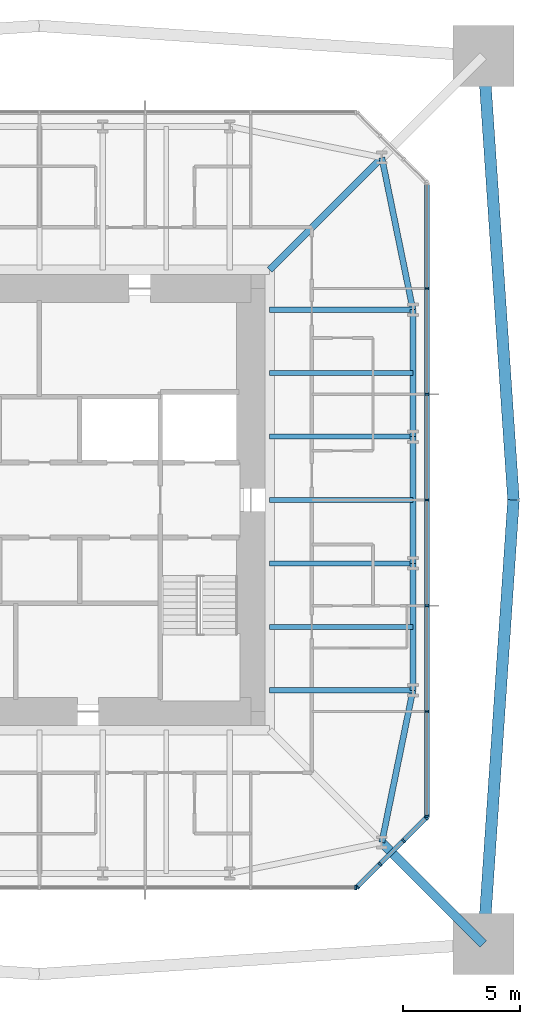
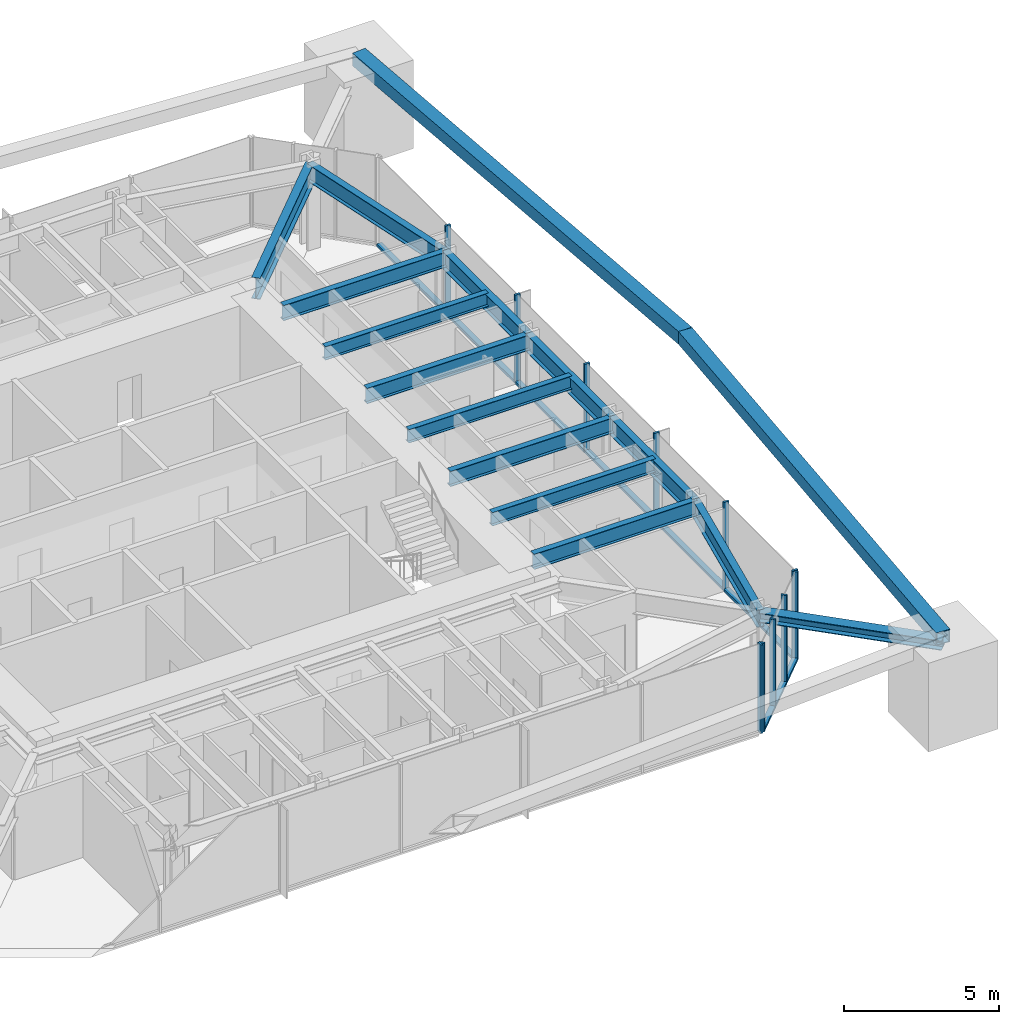
# One storey, part 4 of 11: 23 members, 13 beams, 3 elements without a shape of their own.
"""IFC4 building model written with IfcOpenShell, lengths in metres."""

from ifc_helpers import new_model, si_unit, direction, frame, origin, origin_2d, place, context, subcontext, project, spatial, rectangle, hollow_rectangle, i_section, extrude, material, material_profile, profile_set, type_object, element, aggregate, save


model = new_model("IFC4")

# Units and contexts
model_context = context("Model", 3, precision=1e-05, world=origin(), true_north=direction((0.0, 1.0)))
body_context = subcontext(model_context, "Body", "Model", "MODEL_VIEW")
ifc_project = project(units=[si_unit("LENGTHUNIT", "METRE"), si_unit("AREAUNIT", "SQUARE_METRE"), si_unit("VOLUMEUNIT", "CUBIC_METRE"), si_unit("PLANEANGLEUNIT", "RADIAN"), si_unit("MASSUNIT", "GRAM", prefix="KILO")], contexts=[model_context])

# Site, building, storey
site_placement = place(None, origin())
site = spatial("IfcSite", under=ifc_project, at=site_placement, CompositionType="ELEMENT")
building_placement = place(site_placement, origin())
building = spatial("IfcBuilding", under=site, at=building_placement, Name="Iwan Alto Co-Living Towers", CompositionType="ELEMENT")
storey_placement = place(building_placement, frame((0.0, 0.0, 222.0)))
storey = spatial("IfcBuildingStorey", under=building, at=storey_placement, Name="L60", CompositionType="ELEMENT", Elevation=222.0)

# Curtain wall, member
ifc_material_1 = material(Name="Bronze aluminium unitised frame", Category="aluminium")
curtain_wall_type_1 = type_object("IfcCurtainWallType", Name="CURTAIN WALL CW-A", PredefinedType="NOTDEFINED", material=ifc_material_1)
curtain_wall_1_placement = place(storey_placement, origin())
curtain_wall_1 = element("IfcCurtainWall", 1, at=curtain_wall_1_placement, inside=storey, type_object=curtain_wall_type_1, Name="T1 curtain wall S L60", PredefinedType="NOTDEFINED")
ifc_material_2 = material(Name="Aluminium 6063-T6 bronze anodised", Category="aluminium")
ifc_material_profile_1 = material_profile(ifc_material_2, rectangle(XDim=0.199951171875, YDim=0.080078125, at=origin_2d()), Name="AL 80X200")
ifc_profile_set_1 = profile_set([ifc_material_profile_1], Name="Aluminium 6063-T6 bronze anodised")
member_type_1 = type_object("IfcMemberType", Name="CW-A MULLION 80X200", PredefinedType="MULLION", material=ifc_profile_set_1)
member_1_placement = place(storey_placement, frame((13.4599609375, -16.5, 0.0), z_axis=(0.0, 0.0, 1.0), x_axis=(0.0, 1.0, 0.0)))
member_1 = element("IfcMember", 2, at=member_1_placement, type_object=member_type_1, Name="CW-A mullion 7", PredefinedType="MULLION", context=body_context, shape_type="SweptSolid", body=[
    extrude(rectangle(XDim=0.199951171875, YDim=0.080078125, at=origin_2d()), origin(), (0.0, 0.0, 1.0), 3.5),
])
aggregate(curtain_wall_1, [member_1])

# Curtain wall, members
curtain_wall_2_placement = place(storey_placement, origin())
curtain_wall_2 = element("IfcCurtainWall", 3, at=curtain_wall_2_placement, inside=storey, type_object=curtain_wall_type_1, Name="T1 curtain wall E L60", PredefinedType="NOTDEFINED")
member_2_placement = place(storey_placement, frame((16.5, -13.4599609375, 0.0), z_axis=(0.0, 0.0, 1.0), x_axis=(-1.0, 0.0, 0.0)))
member_2 = element("IfcMember", 4, at=member_2_placement, type_object=member_type_1, Name="CW-A mullion 1", PredefinedType="MULLION", context=body_context, shape_type="SweptSolid", body=[
    extrude(rectangle(XDim=0.199951171875, YDim=0.080078125, at=origin_2d()), origin(), (0.0, 0.0, 1.0), 3.5),
])
member_3_placement = place(storey_placement, frame((16.5, -9.0, 0.0), z_axis=(0.0, 0.0, 1.0), x_axis=(-1.0, 0.0, 0.0)))
member_3 = element("IfcMember", 5, at=member_3_placement, type_object=member_type_1, Name="CW-A mullion 2", PredefinedType="MULLION", context=body_context, shape_type="SweptSolid", body=[
    extrude(rectangle(XDim=0.199951171875, YDim=0.080078125, at=origin_2d()), origin(), (0.0, 0.0, 1.0), 3.5),
])
member_4_placement = place(storey_placement, frame((16.5, -4.5, 0.0), z_axis=(0.0, 0.0, 1.0), x_axis=(-1.0, 0.0, 0.0)))
member_4 = element("IfcMember", 6, at=member_4_placement, type_object=member_type_1, Name="CW-A mullion 3", PredefinedType="MULLION", context=body_context, shape_type="SweptSolid", body=[
    extrude(rectangle(XDim=0.199951171875, YDim=0.080078125, at=origin_2d()), origin(), (0.0, 0.0, 1.0), 3.5),
])
member_5_placement = place(storey_placement, frame((16.5, 0.0, 0.0), z_axis=(0.0, 0.0, 1.0), x_axis=(-1.0, 0.0, 0.0)))
member_5 = element("IfcMember", 7, at=member_5_placement, type_object=member_type_1, Name="CW-A mullion 4", PredefinedType="MULLION", context=body_context, shape_type="SweptSolid", body=[
    extrude(rectangle(XDim=0.199951171875, YDim=0.080078125, at=origin_2d()), origin(), (0.0, 0.0, 1.0), 3.5),
])
member_6_placement = place(storey_placement, frame((16.5, 4.5, 0.0), z_axis=(0.0, 0.0, 1.0), x_axis=(-1.0, 0.0, 0.0)))
member_6 = element("IfcMember", 8, at=member_6_placement, type_object=member_type_1, Name="CW-A mullion 5", PredefinedType="MULLION", context=body_context, shape_type="SweptSolid", body=[
    extrude(rectangle(XDim=0.199951171875, YDim=0.080078125, at=origin_2d()), origin(), (0.0, 0.0, 1.0), 3.5),
])
member_7_placement = place(storey_placement, frame((16.5, 9.0, 0.0), z_axis=(0.0, 0.0, 1.0), x_axis=(-1.0, 0.0, 0.0)))
member_7 = element("IfcMember", 9, at=member_7_placement, type_object=member_type_1, Name="CW-A mullion 6", PredefinedType="MULLION", context=body_context, shape_type="SweptSolid", body=[
    extrude(rectangle(XDim=0.199951171875, YDim=0.080078125, at=origin_2d()), origin(), (0.0, 0.0, 1.0), 3.5),
])
ifc_material_3 = material(Name="Aluminium 6063-T6 bronze anodised", Category="aluminium")
ifc_material_profile_2 = material_profile(ifc_material_3, rectangle(XDim=0.199951171875, YDim=0.10009765625, at=origin_2d()), Name="AL 200X100")
ifc_profile_set_2 = profile_set([ifc_material_profile_2], Name="Aluminium 6063-T6 bronze anodised")
member_type_2 = type_object("IfcMemberType", Name="CW-A TRANSOM 200X100", PredefinedType="USERDEFINED", material=ifc_profile_set_2)
member_8_placement = place(storey_placement, frame((16.5, -13.419921875, 0.050048828125), z_axis=(0.0, 1.0, 0.0), x_axis=(-1.0, 0.0, 0.0)))
member_8 = element("IfcMember", 10, at=member_8_placement, type_object=member_type_2, Name="CW-A transom 1.1", ObjectType="TRANSOM", PredefinedType="USERDEFINED", context=body_context, shape_type="SweptSolid", body=[
    extrude(rectangle(XDim=0.199951171875, YDim=0.10009765625, at=origin_2d()), origin(), (0.0, 0.0, 1.0), 4.3798828125),
])
member_9_placement = place(storey_placement, frame((16.5, -8.9599609375, 0.050048828125), z_axis=(0.0, 1.0, 0.0), x_axis=(-1.0, 0.0, 0.0)))
member_9 = element("IfcMember", 11, at=member_9_placement, type_object=member_type_2, Name="CW-A transom 2.1", ObjectType="TRANSOM", PredefinedType="USERDEFINED", context=body_context, shape_type="SweptSolid", body=[
    extrude(rectangle(XDim=0.199951171875, YDim=0.10009765625, at=origin_2d()), origin(), (0.0, 0.0, 1.0), 4.419921875),
])
member_10_placement = place(storey_placement, frame((16.5, -4.4599609375, 0.050048828125), z_axis=(0.0, 1.0, 0.0), x_axis=(-1.0, 0.0, 0.0)))
member_10 = element("IfcMember", 12, at=member_10_placement, type_object=member_type_2, Name="CW-A transom 3.1", ObjectType="TRANSOM", PredefinedType="USERDEFINED", context=body_context, shape_type="SweptSolid", body=[
    extrude(rectangle(XDim=0.199951171875, YDim=0.10009765625, at=origin_2d()), origin(), (0.0, 0.0, 1.0), 4.419921875),
])
member_11_placement = place(storey_placement, frame((16.5, 0.0400390625, 0.050048828125), z_axis=(0.0, 1.0, 0.0), x_axis=(-1.0, 0.0, 0.0)))
member_11 = element("IfcMember", 13, at=member_11_placement, type_object=member_type_2, Name="CW-A transom 4.1", ObjectType="TRANSOM", PredefinedType="USERDEFINED", context=body_context, shape_type="SweptSolid", body=[
    extrude(rectangle(XDim=0.199951171875, YDim=0.10009765625, at=origin_2d()), origin(), (0.0, 0.0, 1.0), 4.419921875),
])
member_12_placement = place(storey_placement, frame((16.5, 4.5400390625, 0.050048828125), z_axis=(0.0, 1.0, 0.0), x_axis=(-1.0, 0.0, 0.0)))
member_12 = element("IfcMember", 14, at=member_12_placement, type_object=member_type_2, Name="CW-A transom 5.1", ObjectType="TRANSOM", PredefinedType="USERDEFINED", context=body_context, shape_type="SweptSolid", body=[
    extrude(rectangle(XDim=0.199951171875, YDim=0.10009765625, at=origin_2d()), origin(), (0.0, 0.0, 1.0), 4.419921875),
])
member_13_placement = place(storey_placement, frame((16.5, 9.0400390625, 0.050048828125), z_axis=(0.0, 1.0, 0.0), x_axis=(-1.0, 0.0, 0.0)))
member_13 = element("IfcMember", 15, at=member_13_placement, type_object=member_type_2, Name="CW-A transom 6.1", ObjectType="TRANSOM", PredefinedType="USERDEFINED", context=body_context, shape_type="SweptSolid", body=[
    extrude(rectangle(XDim=0.199951171875, YDim=0.10009765625, at=origin_2d()), origin(), (0.0, 0.0, 1.0), 4.3798828125),
])
aggregate(curtain_wall_2, [member_2, member_3, member_4, member_5, member_6, member_7, member_8, member_9, member_10, member_11, member_12, member_13])

ifc_material_4 = material(Name="Bronze aluminium unitised frame", Category="aluminium")
curtain_wall_type_2 = type_object("IfcCurtainWallType", Name="CURTAIN WALL CW-B", PredefinedType="NOTDEFINED", material=ifc_material_4)
curtain_wall_3_placement = place(storey_placement, origin())
curtain_wall_3 = element("IfcCurtainWall", 16, at=curtain_wall_3_placement, inside=storey, type_object=curtain_wall_type_2, Name="T1 chamfer curtain wall SE L60", PredefinedType="NOTDEFINED")
ifc_material_5 = material(Name="Aluminium 6063-T6 bronze anodised", Category="aluminium")
ifc_material_profile_3 = material_profile(ifc_material_5, rectangle(XDim=0.199951171875, YDim=0.080078125, at=origin_2d()), Name="AL 80X200")
ifc_profile_set_3 = profile_set([ifc_material_profile_3], Name="Aluminium 6063-T6 bronze anodised")
member_type_3 = type_object("IfcMemberType", Name="CW-B MULLION 80X200", PredefinedType="MULLION", material=ifc_profile_set_3)
member_14_placement = place(storey_placement, frame((13.5283203125, -16.4716796875, 0.0), z_axis=(0.0, 0.0, 1.0), x_axis=(-0.707106781187, 0.707106781187, 0.0)))
member_14 = element("IfcMember", 17, at=member_14_placement, type_object=member_type_3, Name="CW-B mullion 1", PredefinedType="MULLION", context=body_context, shape_type="SweptSolid", body=[
    extrude(rectangle(XDim=0.199951171875, YDim=0.080078125, at=origin_2d()), origin(), (0.0, 0.0, 1.0), 3.5),
])
member_15_placement = place(storey_placement, frame((14.5, -15.5, 0.0), z_axis=(0.0, 0.0, 1.0), x_axis=(-0.707106781187, 0.707106781187, 0.0)))
member_15 = element("IfcMember", 18, at=member_15_placement, type_object=member_type_3, Name="CW-B mullion 2", PredefinedType="MULLION", context=body_context, shape_type="SweptSolid", body=[
    extrude(rectangle(XDim=0.199951171875, YDim=0.080078125, at=origin_2d()), origin(), (0.0, 0.0, 1.0), 3.5),
])
member_16_placement = place(storey_placement, frame((15.5, -14.5, 0.0), z_axis=(0.0, 0.0, 1.0), x_axis=(-0.707106781187, 0.707106781187, 0.0)))
member_16 = element("IfcMember", 19, at=member_16_placement, type_object=member_type_3, Name="CW-B mullion 3", PredefinedType="MULLION", context=body_context, shape_type="SweptSolid", body=[
    extrude(rectangle(XDim=0.199951171875, YDim=0.080078125, at=origin_2d()), origin(), (0.0, 0.0, 1.0), 3.5),
])
member_17_placement = place(storey_placement, frame((16.4716796875, -13.5283203125, 0.0), z_axis=(0.0, 0.0, 1.0), x_axis=(-0.707106781187, 0.707106781187, 0.0)))
member_17 = element("IfcMember", 20, at=member_17_placement, type_object=member_type_3, Name="CW-B mullion 4", PredefinedType="MULLION", context=body_context, shape_type="SweptSolid", body=[
    extrude(rectangle(XDim=0.199951171875, YDim=0.080078125, at=origin_2d()), origin(), (0.0, 0.0, 1.0), 3.5),
])
ifc_material_6 = material(Name="Aluminium 6063-T6 bronze anodised", Category="aluminium")
ifc_material_profile_4 = material_profile(ifc_material_6, rectangle(XDim=0.199951171875, YDim=0.10009765625, at=origin_2d()), Name="AL 200X100")
ifc_profile_set_4 = profile_set([ifc_material_profile_4], Name="Aluminium 6063-T6 bronze anodised")
member_type_4 = type_object("IfcMemberType", Name="CW-B TRANSOM 200X100", PredefinedType="USERDEFINED", material=ifc_profile_set_4)
member_18_placement = place(storey_placement, frame((13.556640625, -16.443359375, 0.050048828125), z_axis=(0.707106781187, 0.707106781187, 0.0), x_axis=(-0.707106781187, 0.707106781187, 0.0)))
member_18 = element("IfcMember", 21, at=member_18_placement, type_object=member_type_4, Name="CW-B transom 1.1", ObjectType="TRANSOM", PredefinedType="USERDEFINED", context=body_context, shape_type="SweptSolid", body=[
    extrude(rectangle(XDim=0.199951171875, YDim=0.10009765625, at=origin_2d()), origin(), (0.0, 0.0, 1.0), 1.2939453125),
])
member_19_placement = place(storey_placement, frame((14.5283203125, -15.4716796875, 0.050048828125), z_axis=(0.707106781187, 0.707106781187, 0.0), x_axis=(-0.707106781187, 0.707106781187, 0.0)))
member_19 = element("IfcMember", 22, at=member_19_placement, type_object=member_type_4, Name="CW-B transom 2.1", ObjectType="TRANSOM", PredefinedType="USERDEFINED", context=body_context, shape_type="SweptSolid", body=[
    extrude(rectangle(XDim=0.199951171875, YDim=0.10009765625, at=origin_2d()), origin(), (0.0, 0.0, 1.0), 1.334228515625),
])
member_20_placement = place(storey_placement, frame((15.5283203125, -14.4716796875, 0.050048828125), z_axis=(0.707106781187, 0.707106781187, 0.0), x_axis=(-0.707106781187, 0.707106781187, 0.0)))
member_20 = element("IfcMember", 23, at=member_20_placement, type_object=member_type_4, Name="CW-B transom 3.1", ObjectType="TRANSOM", PredefinedType="USERDEFINED", context=body_context, shape_type="SweptSolid", body=[
    extrude(rectangle(XDim=0.199951171875, YDim=0.10009765625, at=origin_2d()), origin(), (0.0, 0.0, 1.0), 1.2939453125),
])
aggregate(curtain_wall_3, [member_14, member_15, member_16, member_17, member_18, member_19, member_20])

# Beams
ifc_material_7 = material(Name="Steel ASTM A992 Gr 50", Category="steel")
ifc_material_profile_5 = material_profile(ifc_material_7, i_section(OverallWidth=0.2919921875, OverallDepth=0.8408203125, WebThickness=0.0146484375, FlangeThickness=0.021728515625, at=origin_2d()), Name="W33X130")
ifc_profile_set_5 = profile_set([ifc_material_profile_5], Name="Steel ASTM A992 Gr 50")
beam_type_1 = type_object("IfcBeamType", Name="T1 CORNER GIRDER W33X130", PredefinedType="BEAM", material=ifc_profile_set_5)
beam_1_placement = place(storey_placement, frame((14.57568359375, 14.57568359375, 2.849609375), z_axis=(-0.707106781187, -0.707106781187, 0.0), x_axis=(0.707106781187, -0.707106781187, 0.0)))
element("IfcBeam", 24, at=beam_1_placement, inside=storey, type_object=beam_type_1, Name="T1 corner girder CNE L61", PredefinedType="BEAM", context=body_context, shape_type="SweptSolid", body=[
    extrude(i_section(OverallWidth=0.2919921875, OverallDepth=0.8408203125, WebThickness=0.0146484375, FlangeThickness=0.021728515625, at=origin_2d()), origin(), (0.0, 0.0, 1.0), 6.7548828125),
])
ifc_material_8 = material(Name="Steel ASTM A992 Gr 50", Category="steel")
ifc_material_profile_6 = material_profile(ifc_material_8, i_section(OverallWidth=0.25390625, OverallDepth=0.683349609375, WebThickness=0.012451171875, FlangeThickness=0.018798828125, at=origin_2d()), Name="W27X94")
ifc_profile_set_6 = profile_set([ifc_material_profile_6], Name="Steel ASTM A992 Gr 50")
beam_type_2 = type_object("IfcBeamType", Name="T1 EDGE BEAM W27X94", PredefinedType="BEAM", material=ifc_profile_set_6)
beam_2_placement = place(storey_placement, frame((14.57568359375, -14.57568359375, 2.928466796875), z_axis=(0.200347889618, 0.979724820103, 0.0), x_axis=(-0.979724820103, 0.200347889618, 0.0)))
element("IfcBeam", 25, at=beam_2_placement, inside=storey, type_object=beam_type_2, Name="T1 edge beam CSE L61", PredefinedType="BEAM", context=body_context, shape_type="SweptSolid", body=[
    extrude(i_section(OverallWidth=0.25390625, OverallDepth=0.683349609375, WebThickness=0.012451171875, FlangeThickness=0.018798828125, at=origin_2d()), origin(), (0.0, 0.0, 1.0), 6.609619140625),
])
beam_3_placement = place(storey_placement, frame((15.89990234375, -8.10009765625, 2.928466796875), z_axis=(0.0, 1.0, 0.0), x_axis=(-1.0, 0.0, 0.0)))
element("IfcBeam", 26, at=beam_3_placement, inside=storey, type_object=beam_type_2, Name="T1 edge beam E1 L61", PredefinedType="BEAM", context=body_context, shape_type="SweptSolid", body=[
    extrude(i_section(OverallWidth=0.25390625, OverallDepth=0.683349609375, WebThickness=0.012451171875, FlangeThickness=0.018798828125, at=origin_2d()), origin(), (0.0, 0.0, 1.0), 5.400146484375),
])
beam_4_placement = place(storey_placement, frame((15.89990234375, -2.699951171875, 2.928466796875), z_axis=(0.0, 1.0, 0.0), x_axis=(-1.0, 0.0, 0.0)))
element("IfcBeam", 27, at=beam_4_placement, inside=storey, type_object=beam_type_2, Name="T1 edge beam E2 L61", PredefinedType="BEAM", context=body_context, shape_type="SweptSolid", body=[
    extrude(i_section(OverallWidth=0.25390625, OverallDepth=0.683349609375, WebThickness=0.012451171875, FlangeThickness=0.018798828125, at=origin_2d()), origin(), (0.0, 0.0, 1.0), 5.39990234375),
])
beam_5_placement = place(storey_placement, frame((15.89990234375, 2.699951171875, 2.928466796875), z_axis=(0.0, 1.0, 0.0), x_axis=(-1.0, 0.0, 0.0)))
element("IfcBeam", 28, at=beam_5_placement, inside=storey, type_object=beam_type_2, Name="T1 edge beam E3 L61", PredefinedType="BEAM", context=body_context, shape_type="SweptSolid", body=[
    extrude(i_section(OverallWidth=0.25390625, OverallDepth=0.683349609375, WebThickness=0.012451171875, FlangeThickness=0.018798828125, at=origin_2d()), origin(), (0.0, 0.0, 1.0), 5.400146484375),
])
beam_6_placement = place(storey_placement, frame((15.89990234375, 8.10009765625, 2.928466796875), z_axis=(-0.200347889618, 0.979724820103, 0.0), x_axis=(-0.979724820103, -0.200347889618, 0.0)))
element("IfcBeam", 29, at=beam_6_placement, inside=storey, type_object=beam_type_2, Name="T1 edge beam E4 L61", PredefinedType="BEAM", context=body_context, shape_type="SweptSolid", body=[
    extrude(i_section(OverallWidth=0.25390625, OverallDepth=0.683349609375, WebThickness=0.012451171875, FlangeThickness=0.018798828125, at=origin_2d()), origin(), (0.0, 0.0, 1.0), 6.609619140625),
])

# Members
ifc_material_9 = material(Name="Steel ASTM A992 Gr 50", Category="steel")
ifc_material_profile_7 = material_profile(ifc_material_9, i_section(OverallWidth=0.393798828125, OverallDepth=0.3759765625, WebThickness=0.017333984375, FlangeThickness=0.027587890625, at=origin_2d()), Name="W14X145")
ifc_profile_set_7 = profile_set([ifc_material_profile_7], Name="Steel ASTM A992 Gr 50")
member_type_5 = type_object("IfcMemberType", Name="T1 MEGA COLUMN FLOOR TIE W14X145", PredefinedType="STRUT", material=ifc_profile_set_7)
member_21_placement = place(storey_placement, frame((18.89990234375, -18.89990234375, 3.08203125), z_axis=(-0.707106781187, 0.707106781187, 0.0), x_axis=(-0.707106781187, -0.707106781187, 0.0)))
element("IfcMember", 30, at=member_21_placement, inside=storey, type_object=member_type_5, Name="T1 mega column floor tie SE L61", PredefinedType="STRUT", context=body_context, shape_type="SweptSolid", body=[
    extrude(i_section(OverallWidth=0.393798828125, OverallDepth=0.3759765625, WebThickness=0.017333984375, FlangeThickness=0.027587890625, at=origin_2d()), origin(), (0.0, 0.0, 1.0), 6.115478515625),
])
ifc_material_10 = material(Name="Steel ASTM A572 Gr 50", Category="steel")
ifc_material_profile_8 = material_profile(ifc_material_10, hollow_rectangle(XDim=0.5, YDim=0.5, WallThickness=0.031982421875, at=origin_2d()), Name="BOX 500X500X32")
ifc_profile_set_8 = profile_set([ifc_material_profile_8], Name="Steel ASTM A572 Gr 50")
member_type_6 = type_object("IfcMemberType", Name="T1 MEGA TIE BOX 500X500X32", PredefinedType="STRUT", material=ifc_profile_set_8)
for number, where, z_axis, x_axis, name in (
    (31, (18.89990234375, -18.89990234375, 3.2841796875), (0.067661775131, 0.997708316186, 0.0), (-0.997708316186, 0.067661775131, 0.0), "T1 mega tie Z4A E 1"),
    (32, (20.181640625, 0.0, 3.2841796875), (-0.067661775131, 0.997708316186, 0.0), (-0.997708316186, -0.067661775131, 0.0), "T1 mega tie Z4A E 2"),
):
    element("IfcMember", number, at=place(storey_placement, frame(where, z_axis=z_axis, x_axis=x_axis)), inside=storey, type_object=member_type_6, Name=name, PredefinedType="STRUT", context=body_context, shape_type="SweptSolid", body=[
        extrude(hollow_rectangle(XDim=0.5, YDim=0.5, WallThickness=0.031982421875, at=origin_2d()), origin(), (0.0, 0.0, 1.0), 18.943359375),
    ])

# Beams
ifc_material_11 = material(Name="Steel ASTM A992 Gr 50", Category="steel")
ifc_material_profile_9 = material_profile(ifc_material_11, i_section(OverallWidth=0.228271484375, OverallDepth=0.607177734375, WebThickness=0.01123046875, FlangeThickness=0.017333984375, at=origin_2d()), Name="W24X76")
ifc_profile_set_9 = profile_set([ifc_material_profile_9], Name="Steel ASTM A992 Gr 50")
beam_type_3 = type_object("IfcBeamType", Name="T1 RADIAL BEAM W24X76", PredefinedType="BEAM", material=ifc_profile_set_9)
for number, where, z_axis, x_axis, name in (
    (33, (15.89990234375, -8.10009765625, 2.966552734375), (-1.0, 0.0, 0.0), (0.0, -1.0, 0.0), "T1 radial beam E1 L61"),
    (34, (15.89990234375, -2.699951171875, 2.966552734375), (-1.0, 0.0, 0.0), (0.0, -1.0, 0.0), "T1 radial beam E2 L61"),
    (35, (15.89990234375, 2.699951171875, 2.966552734375), (-1.0, 0.0, 0.0), (0.0, -1.0, 0.0), "T1 radial beam E3 L61"),
    (36, (15.89990234375, 8.10009765625, 2.966552734375), (-1.0, 0.0, 0.0), (0.0, -1.0, 0.0), "T1 radial beam E4 L61"),
):
    element("IfcBeam", number, at=place(storey_placement, frame(where, z_axis=z_axis, x_axis=x_axis)), inside=storey, type_object=beam_type_3, Name=name, PredefinedType="BEAM", context=body_context, shape_type="SweptSolid", body=[
        extrude(i_section(OverallWidth=0.228271484375, OverallDepth=0.607177734375, WebThickness=0.01123046875, FlangeThickness=0.017333984375, at=origin_2d()), origin(), (0.0, 0.0, 1.0), 6.1005859375),
    ])
ifc_material_12 = material(Name="Steel ASTM A992 Gr 50", Category="steel")
ifc_material_profile_10 = material_profile(ifc_material_12, i_section(OverallWidth=0.209228515625, OverallDepth=0.533447265625, WebThickness=0.01025390625, FlangeThickness=0.015625, at=origin_2d()), Name="W21X62")
ifc_profile_set_10 = profile_set([ifc_material_profile_10], Name="Steel ASTM A992 Gr 50")
beam_type_4 = type_object("IfcBeamType", Name="T1 SECONDARY BEAM W21X62", PredefinedType="JOIST", material=ifc_profile_set_10)
for number, where, z_axis, x_axis, name in (
    (37, (15.89990234375, -5.39990234375, 3.00341796875), (-1.0, 0.0, 0.0), (0.0, -1.0, 0.0), "T1 secondary beam E1 L61"),
    (38, (15.89990234375, 0.0, 3.00341796875), (-1.0, 0.0, 0.0), (0.0, -1.0, 0.0), "T1 secondary beam E2 L61"),
    (39, (15.89990234375, 5.39990234375, 3.00341796875), (-1.0, 0.0, 0.0), (0.0, -1.0, 0.0), "T1 secondary beam E3 L61"),
):
    element("IfcBeam", number, at=place(storey_placement, frame(where, z_axis=z_axis, x_axis=x_axis)), inside=storey, type_object=beam_type_4, Name=name, PredefinedType="JOIST", context=body_context, shape_type="SweptSolid", body=[
        extrude(i_section(OverallWidth=0.209228515625, OverallDepth=0.533447265625, WebThickness=0.01025390625, FlangeThickness=0.015625, at=origin_2d()), origin(), (0.0, 0.0, 1.0), 6.1005859375),
    ])

save(model, "model.ifc")
